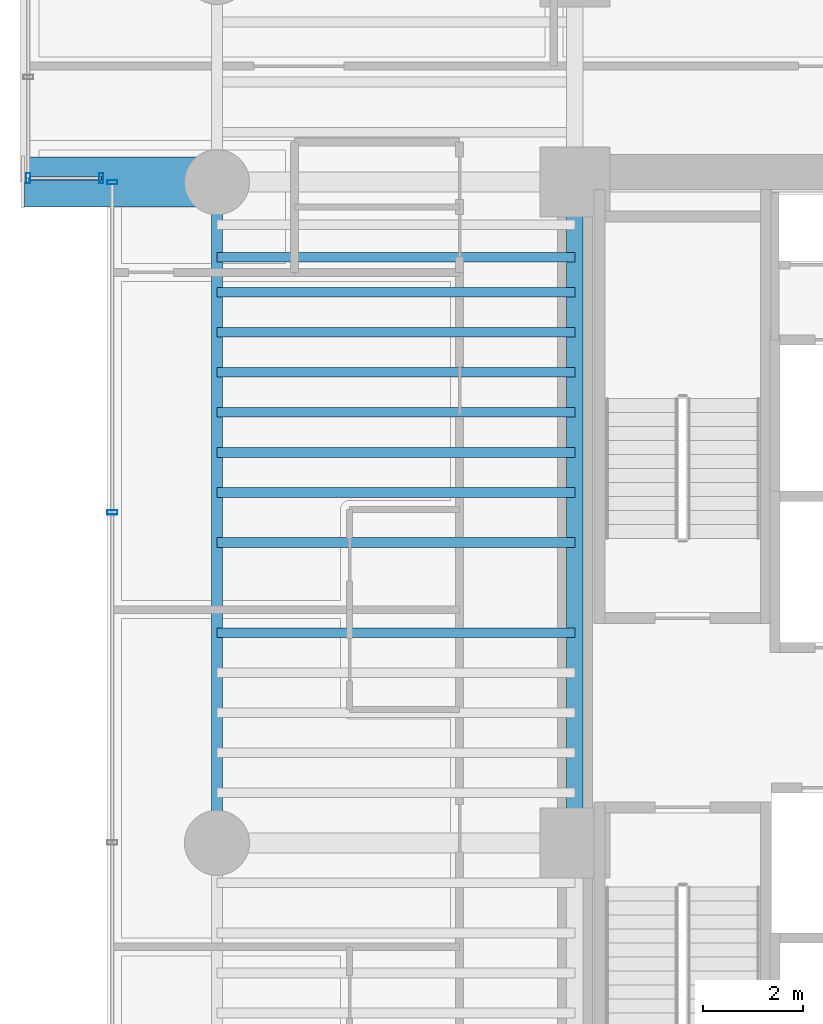
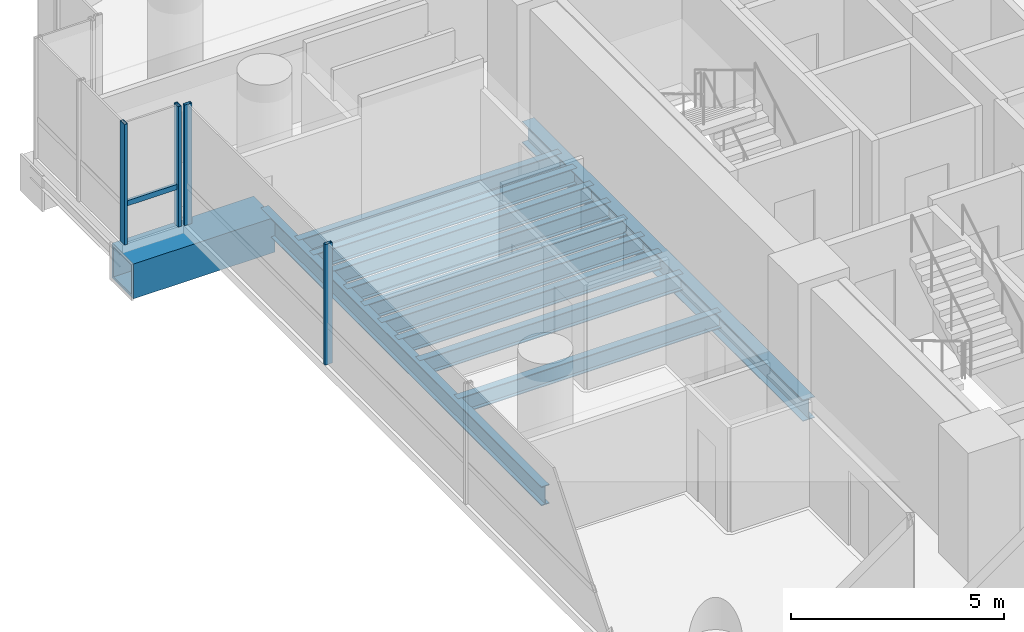
# One storey, part 10 of 41: 12 beams, 5 members, 2 elements without a shape of their own.
"""IFC4 building model written with IfcOpenShell, lengths in metres."""

from ifc_helpers import new_model, si_unit, direction, frame, origin, origin_2d, place, context, subcontext, project, spatial, hollow_rectangle, i_section, extrude, source, transform, mapped, material, material_profile, profile_set, type_object, element, aggregate, save


model = new_model("IFC4")

# Units and contexts
model_context = context("Model", 3, precision=1e-05, world=origin(), true_north=direction((0.0, 1.0)))
body_context = subcontext(model_context, "Body", "Model", "MODEL_VIEW")
ifc_project = project(units=[si_unit("LENGTHUNIT", "METRE"), si_unit("AREAUNIT", "SQUARE_METRE"), si_unit("VOLUMEUNIT", "CUBIC_METRE"), si_unit("PLANEANGLEUNIT", "RADIAN"), si_unit("MASSUNIT", "GRAM", prefix="KILO")], contexts=[model_context])

# Site, building, storey
site_placement = place(None, origin())
site = spatial("IfcSite", under=ifc_project, at=site_placement, CompositionType="ELEMENT")
building_placement = place(site_placement, origin())
building = spatial("IfcBuilding", under=site, at=building_placement, Name="Valdorenza Pilgrim Sanctuary Tower", CompositionType="ELEMENT")
storey_placement = place(building_placement, frame((0.0, 0.0, 85.199951171875)))
storey = spatial("IfcBuildingStorey", under=building, at=storey_placement, Name="L21", CompositionType="ELEMENT", Elevation=85.199951171875)

# Beams
ifc_material_1 = material(Name="Steel ASTM A992 Grade 50", Category="steel")
ifc_material_profile_1 = material_profile(ifc_material_1, i_section(OverallWidth=0.214111328125, OverallDepth=0.549072265625, WebThickness=0.0146484375, FlangeThickness=0.023681640625, at=origin_2d()), Name="W21X93")
ifc_profile_set_1 = profile_set([ifc_material_profile_1], Name="Steel ASTM A992 Grade 50")
beam_type_1 = type_object("IfcBeamType", Name="STR-BM-SPN-W21A", PredefinedType="SPANDREL", material=ifc_profile_set_1)
shared_shape_1 = source(origin(), body_context, "Body", "SweptSolid", [
    extrude(i_section(OverallWidth=0.214111328125, OverallDepth=0.549072265625, WebThickness=0.0146484375, FlangeThickness=0.023681640625, at=origin_2d()), origin(), (0.0, 0.0, 1.0), 13.2001953125),
])
beam_1_placement = place(storey_placement, frame((-29.800048828125, -2.60009765625, -0.514404296875), z_axis=(0.0, 1.0, 0.0), x_axis=(-1.0, 0.0, 0.0)))
element("IfcBeam", 1, at=beam_1_placement, inside=storey, type_object=beam_type_1, Name="L21 Spandrel Beam WA-W-M0N1", PredefinedType="SPANDREL", context=body_context, shape_type="MappedRepresentation", body=[
    mapped(shared_shape_1, transform((0.0, 0.0, 0.0), x_axis=(1.0, 0.0, 0.0), y_axis=(0.0, 1.0, 0.0), z_axis=(0.0, 0.0, 1.0), scale=1.0)),
])
ifc_material_profile_2 = material_profile(ifc_material_1, i_section(OverallWidth=0.323974609375, OverallDepth=0.611083984375, WebThickness=0.0126953125, FlangeThickness=0.01904296875, at=origin_2d()), Name="W24X104")
ifc_profile_set_2 = profile_set([ifc_material_profile_2], Name="Steel ASTM A992 Grade 50")
beam_type_2 = type_object("IfcBeamType", Name="STR-BM-GRD-W24B", PredefinedType="BEAM", material=ifc_profile_set_2)
shared_shape_2 = source(origin(), body_context, "Body", "SweptSolid", [
    extrude(i_section(OverallWidth=0.323974609375, OverallDepth=0.611083984375, WebThickness=0.0126953125, FlangeThickness=0.01904296875, at=origin_2d()), origin(), (0.0, 0.0, 1.0), 13.2001953125),
])
beam_2_placement = place(storey_placement, frame((-22.64990234375, -2.60009765625, -0.54541015625), z_axis=(0.0, 1.0, 0.0), x_axis=(-1.0, 0.0, 0.0)))
element("IfcBeam", 2, at=beam_2_placement, inside=storey, type_object=beam_type_2, Name="L21 Core Tie Girder CA-W-M0N1", PredefinedType="BEAM", context=body_context, shape_type="MappedRepresentation", body=[
    mapped(shared_shape_2, transform((0.0, 0.0, 0.0), x_axis=(1.0, 0.0, 0.0), y_axis=(0.0, 1.0, 0.0), z_axis=(0.0, 0.0, 1.0), scale=1.0)),
])
ifc_material_profile_3 = material_profile(ifc_material_1, i_section(OverallWidth=0.193115234375, OverallDepth=0.466064453125, WebThickness=0.011474609375, FlangeThickness=0.01904296875, at=origin_2d()), Name="W18X65")
ifc_profile_set_3 = profile_set([ifc_material_profile_3], Name="Steel ASTM A992 Grade 50")
beam_type_3 = type_object("IfcBeamType", Name="STR-BM-JST-W18A", PredefinedType="JOIST", material=ifc_profile_set_3)
shared_shape_3 = source(origin(), body_context, "Body", "SweptSolid", [
    extrude(i_section(OverallWidth=0.193115234375, OverallDepth=0.466064453125, WebThickness=0.011474609375, FlangeThickness=0.01904296875, at=origin_2d()), origin(), (0.0, 0.0, 1.0), 7.150146484375),
])
for number, where, z_axis, x_axis, name in (
    (3, (-29.800048828125, 1.60009765625, -0.472900390625), (1.0, 0.0, 0.0), (0.0, 1.0, 0.0), "L21 Composite Floor Joist JST-WA-14"),
    (4, (-29.800048828125, 3.39990234375, -0.472900390625), (1.0, 0.0, 0.0), (0.0, 1.0, 0.0), "L21 Composite Floor Joist JST-WA-15"),
    (5, (-29.800048828125, 4.39990234375, -0.472900390625), (1.0, 0.0, 0.0), (0.0, 1.0, 0.0), "L21 Composite Floor Joist JST-WA-16"),
    (6, (-29.800048828125, 5.199951171875, -0.472900390625), (1.0, 0.0, 0.0), (0.0, 1.0, 0.0), "L21 Composite Floor Joist JST-WA-17"),
    (7, (-29.800048828125, 6.0, -0.472900390625), (1.0, 0.0, 0.0), (0.0, 1.0, 0.0), "L21 Composite Floor Joist JST-WA-18"),
    (8, (-29.800048828125, 6.800048828125, -0.472900390625), (1.0, 0.0, 0.0), (0.0, 1.0, 0.0), "L21 Composite Floor Joist JST-WA-19"),
    (9, (-29.800048828125, 7.60009765625, -0.472900390625), (1.0, 0.0, 0.0), (0.0, 1.0, 0.0), "L21 Composite Floor Joist JST-WA-20"),
    (10, (-29.800048828125, 8.39990234375, -0.472900390625), (1.0, 0.0, 0.0), (0.0, 1.0, 0.0), "L21 Composite Floor Joist JST-WA-21"),
    (11, (-29.800048828125, 9.10009765625, -0.472900390625), (1.0, 0.0, 0.0), (0.0, 1.0, 0.0), "L21 Composite Floor Joist JST-WA-22"),
):
    element("IfcBeam", number, at=place(storey_placement, frame(where, z_axis=z_axis, x_axis=x_axis)), inside=storey, type_object=beam_type_3, Name=name, PredefinedType="JOIST", context=body_context, shape_type="MappedRepresentation", body=[
        mapped(shared_shape_3, transform((0.0, 0.0, 0.0), x_axis=(1.0, 0.0, 0.0), y_axis=(0.0, 1.0, 0.0), z_axis=(0.0, 0.0, 1.0), scale=1.0)),
    ])
ifc_material_2 = material(Name="Steel ASTM A572 Grade 42", Category="steel")
ifc_material_profile_4 = material_profile(ifc_material_2, hollow_rectangle(XDim=1.0, YDim=1.0, WallThickness=0.080078125, at=origin_2d()), Name="BOX 1000x1000x80")
ifc_profile_set_4 = profile_set([ifc_material_profile_4], Name="Steel ASTM A572 Grade 42")
beam_type_4 = type_object("IfcBeamType", Name="STR-BM-PROW-CANT", PredefinedType="BEAM", material=ifc_profile_set_4)
shared_shape_4 = source(origin(), body_context, "Body", "SweptSolid", [
    extrude(hollow_rectangle(XDim=1.0, YDim=1.0, WallThickness=0.080078125, at=origin_2d()), origin(), (0.0, 0.0, 1.0), 3.849853515625),
])
beam_3_placement = place(storey_placement, frame((-29.800048828125, 10.60009765625, -0.739990234375), z_axis=(-1.0, 0.0, 0.0), x_axis=(0.0, -1.0, 0.0)))
element("IfcBeam", 12, at=beam_3_placement, inside=storey, type_object=beam_type_4, Name="L21 Glass Box Cantilever Beam BOX-WA-L21-CT-S", PredefinedType="BEAM", context=body_context, shape_type="MappedRepresentation", body=[
    mapped(shared_shape_4, transform((0.0, 0.0, 0.0), x_axis=(1.0, 0.0, 0.0), y_axis=(0.0, 1.0, 0.0), z_axis=(0.0, 0.0, 1.0), scale=1.0)),
])

# Curtain wall, members
ifc_material_3 = material(Name="Curtain-wall IGU glazing", Category="glass")
curtain_wall_type = type_object("IfcCurtainWallType", Name="CW-SYS-02", PredefinedType="NOTDEFINED", material=ifc_material_3)
curtain_wall_1_placement = place(storey_placement, origin())
curtain_wall_1 = element("IfcCurtainWall", 13, at=curtain_wall_1_placement, inside=storey, type_object=curtain_wall_type, Name="L21 Curtain Wall CW-L21-1-1S1", PredefinedType="NOTDEFINED")
ifc_material_4 = material(Name="Anodised aluminium AW-6060", Category="aluminium")
ifc_material_profile_5 = material_profile(ifc_material_4, hollow_rectangle(XDim=0.0849609375, YDim=0.199951171875, WallThickness=0.0048828125, at=origin_2d()), Name="ALU-M 200x85x5")
ifc_profile_set_5 = profile_set([ifc_material_profile_5], Name="Anodised aluminium AW-6060")
member_type_1 = type_object("IfcMemberType", Name="CW-MUL-02", PredefinedType="MULLION", material=ifc_profile_set_5)
shared_shape_5 = source(origin(), body_context, "Body", "SweptSolid", [
    extrude(hollow_rectangle(XDim=0.0849609375, YDim=0.199951171875, WallThickness=0.0048828125, at=origin_2d()), origin(), (0.0, 0.0, 1.0), 3.4599609375),
])
member_1_placement = place(storey_placement, frame((-31.889892578125, 4.002685546875, 0.0), z_axis=(0.0, 0.0, 1.0), x_axis=(0.0, 1.0, 0.0)))
member_1 = element("IfcMember", 14, at=member_1_placement, type_object=member_type_1, Name="CW-L21-1-1S1 Mullion 4", PredefinedType="MULLION", context=body_context, shape_type="MappedRepresentation", body=[
    mapped(shared_shape_5, transform((0.0, 0.0, 0.0), x_axis=(1.0, 0.0, 0.0), y_axis=(0.0, 1.0, 0.0), z_axis=(0.0, 0.0, 1.0), scale=1.0)),
])
member_2_placement = place(storey_placement, frame((-31.889892578125, 10.60009765625, 0.0), z_axis=(0.0, 0.0, 1.0), x_axis=(0.0, 1.0, 0.0)))
member_2 = element("IfcMember", 15, at=member_2_placement, type_object=member_type_1, Name="CW-L21-1-1S1 Mullion 5", PredefinedType="MULLION", context=body_context, shape_type="MappedRepresentation", body=[
    mapped(shared_shape_5, transform((0.0, 0.0, 0.0), x_axis=(1.0, 0.0, 0.0), y_axis=(0.0, 1.0, 0.0), z_axis=(0.0, 0.0, 1.0), scale=1.0)),
])
aggregate(curtain_wall_1, [member_1, member_2])

curtain_wall_2_placement = place(storey_placement, origin())
curtain_wall_2 = element("IfcCurtainWall", 16, at=curtain_wall_2_placement, inside=storey, type_object=curtain_wall_type, Name="L21 Curtain Wall CW-L21-BOX-WA-L21-S", PredefinedType="NOTDEFINED")
member_3_placement = place(storey_placement, frame((-32.110107421875, 10.679931640625, 0.0), z_axis=(0.0, 0.0, 1.0), x_axis=(-1.0, 0.0, 0.0)))
member_3 = element("IfcMember", 17, at=member_3_placement, type_object=member_type_1, Name="CW-L21-BOX-WA-L21-S Mullion 1", PredefinedType="MULLION", context=body_context, shape_type="MappedRepresentation", body=[
    mapped(shared_shape_5, transform((0.0, 0.0, 0.0), x_axis=(1.0, 0.0, 0.0), y_axis=(0.0, 1.0, 0.0), z_axis=(0.0, 0.0, 1.0), scale=1.0)),
])
member_4_placement = place(storey_placement, frame((-33.570068359375, 10.679931640625, 0.0), z_axis=(0.0, 0.0, 1.0), x_axis=(-1.0, 0.0, 0.0)))
member_4 = element("IfcMember", 18, at=member_4_placement, type_object=member_type_1, Name="CW-L21-BOX-WA-L21-S Mullion 2", PredefinedType="MULLION", context=body_context, shape_type="MappedRepresentation", body=[
    mapped(shared_shape_5, transform((0.0, 0.0, 0.0), x_axis=(1.0, 0.0, 0.0), y_axis=(0.0, 1.0, 0.0), z_axis=(0.0, 0.0, 1.0), scale=1.0)),
])
ifc_material_profile_6 = material_profile(ifc_material_4, hollow_rectangle(XDim=0.074951171875, YDim=0.14990234375, WallThickness=0.00390625, at=origin_2d()), Name="ALU-T 150x75x4")
ifc_profile_set_6 = profile_set([ifc_material_profile_6], Name="Anodised aluminium AW-6060")
member_type_2 = type_object("IfcMemberType", Name="CW-TRN-02", PredefinedType="USERDEFINED", material=ifc_profile_set_6)
shared_shape_6 = source(origin(), body_context, "Body", "SweptSolid", [
    extrude(hollow_rectangle(XDim=0.074951171875, YDim=0.14990234375, WallThickness=0.00390625, at=origin_2d()), origin(), (0.0, 0.0, 1.0), 1.4599609375),
])
member_5_placement = place(storey_placement, frame((-32.110107421875, 10.679931640625, 1.1201171875), z_axis=(-1.0, 0.0, 0.0), x_axis=(0.0, -1.0, 0.0)))
member_5 = element("IfcMember", 19, at=member_5_placement, type_object=member_type_2, Name="CW-L21-BOX-WA-L21-S Transom 1", ObjectType="TRANSOM", PredefinedType="USERDEFINED", context=body_context, shape_type="MappedRepresentation", body=[
    mapped(shared_shape_6, transform((0.0, 0.0, 0.0), x_axis=(1.0, 0.0, 0.0), y_axis=(0.0, 1.0, 0.0), z_axis=(0.0, 0.0, 1.0), scale=1.0)),
])
aggregate(curtain_wall_2, [member_3, member_4, member_5])

save(model, "model.ifc")
